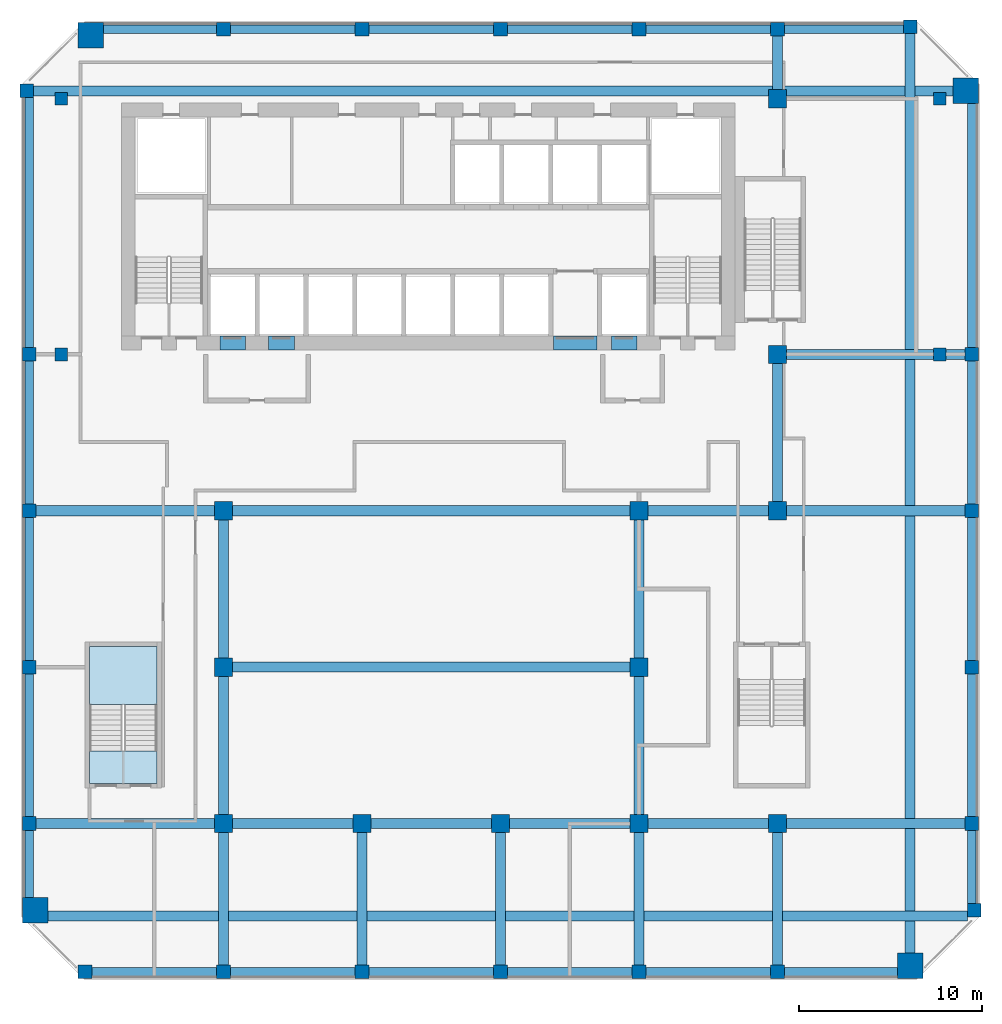
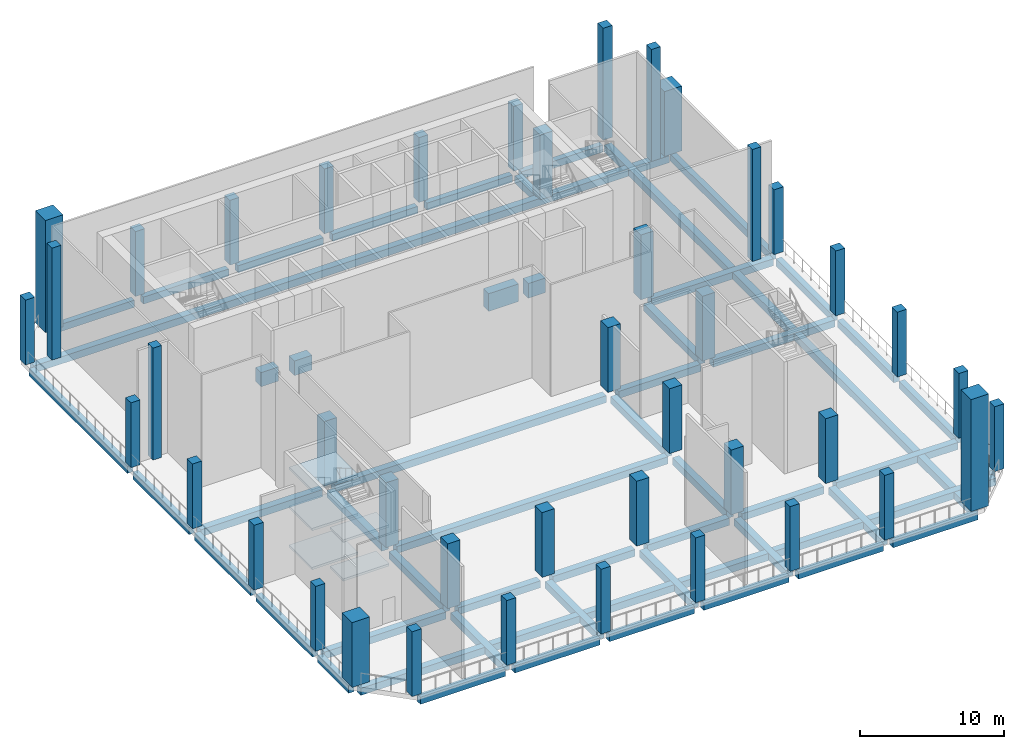
# One storey, part 1 of 12: 52 beams, 42 columns, 5 slabs, 1 element without a shape of its own.
"""IFC4 building model written with IfcOpenShell, lengths in metres."""

from ifc_helpers import new_model, si_unit, direction, frame, origin, origin_2d, place, context, subcontext, project, spatial, polyline, rectangle, outline, extrude, source, transform, mapped, material, layer, layer_set, material_profile, profile_set, type_object, element, aggregate, save


model = new_model("IFC4")

# Units and contexts
model_context = context("Model", 3, precision=1e-05, world=origin(), true_north=direction((0.0, 1.0)))
body_context = subcontext(model_context, "Body", "Model", "MODEL_VIEW")
ifc_project = project(units=[si_unit("LENGTHUNIT", "METRE"), si_unit("AREAUNIT", "SQUARE_METRE"), si_unit("VOLUMEUNIT", "CUBIC_METRE"), si_unit("PLANEANGLEUNIT", "RADIAN"), si_unit("MASSUNIT", "GRAM", prefix="KILO")], contexts=[model_context])

# Site, building, storey
site_placement = place(None, origin())
site = spatial("IfcSite", under=ifc_project, at=site_placement, CompositionType="ELEMENT")
building_placement = place(site_placement, origin())
building = spatial("IfcBuilding", under=site, at=building_placement, Name="Kilnfold Tower and Market Hall", CompositionType="ELEMENT")
storey_placement = place(building_placement, frame((0.0, 0.0, 223.699951171875)))
storey = spatial("IfcBuildingStorey", under=building, at=storey_placement, Name="L55 Refuge Wind Floor", CompositionType="ELEMENT", Elevation=223.699951171875)

# Columns
ifc_material_1 = material(Name="Concrete C70", Category="concrete")
ifc_material_profile_1 = material_profile(ifc_material_1, rectangle(XDim=0.75, YDim=0.75, at=origin_2d()), Name="RC 750x750")
ifc_profile_set_1 = profile_set([ifc_material_profile_1], Name="Concrete C70")
column_type_1 = type_object("IfcColumnType", Name="COLUMN 750X750 C70", PredefinedType="COLUMN", material=ifc_profile_set_1)
shared_shape_1 = source(origin(), body_context, "Body", "SweptSolid", [
    extrude(rectangle(XDim=0.75, YDim=0.75, at=origin_2d()), origin(), (0.0, 0.0, 1.0), 5.5),
])
for number, where, z_axis, x_axis, name in (
    (1, (-20.931884765625, 22.431884765625, 0.0), (0.0, 0.0, 1.0), (1.0, 0.0, 0.0), "Column C-B6-1H"),
    (2, (-20.800048828125, -17.6875, 0.0), (0.0, 0.0, 1.0), (1.0, 0.0, 0.0), "Column C-B6-1C"),
    (3, (-20.800048828125, -9.125, 0.0), (0.0, 0.0, 1.0), (1.0, 0.0, 0.0), "Column C-B6-1D"),
    (4, (-20.800048828125, -0.5625, 0.0), (0.0, 0.0, 1.0), (1.0, 0.0, 0.0), "Column C-B6-1E"),
    (5, (-20.800048828125, 8.0, 0.0), (0.0, 0.0, 1.0), (1.0, 0.0, 0.0), "Column C-B6-1F"),
    (6, (-17.75, -25.800048828125, 0.0), (0.0, 0.0, 1.0), (1.0, 0.0, 0.0), "Column C-B6-2A"),
    (7, (-10.166748046875, -25.800048828125, 0.0), (0.0, 0.0, 1.0), (1.0, 0.0, 0.0), "Column C-B6-3A"),
    (8, (-10.166748046875, 25.800048828125, 0.0), (0.0, 0.0, 1.0), (1.0, 0.0, 0.0), "Column C-B6-3I"),
    (9, (-2.583251953125, -25.800048828125, 0.0), (0.0, 0.0, 1.0), (1.0, 0.0, 0.0), "Column C-B6-4A"),
    (10, (-2.583251953125, 25.800048828125, 0.0), (0.0, 0.0, 1.0), (1.0, 0.0, 0.0), "Column C-B6-4I"),
    (11, (5.0, -25.800048828125, 0.0), (0.0, 0.0, 1.0), (1.0, 0.0, 0.0), "Column C-B6-5A"),
    (12, (5.0, 25.800048828125, 0.0), (0.0, 0.0, 1.0), (1.0, 0.0, 0.0), "Column C-B6-5I"),
    (13, (12.583251953125, -25.800048828125, 0.0), (0.0, 0.0, 1.0), (1.0, 0.0, 0.0), "Column C-B6-6A"),
    (14, (12.583251953125, 25.800048828125, 0.0), (0.0, 0.0, 1.0), (1.0, 0.0, 0.0), "Column C-B6-6I"),
    (15, (20.166748046875, -25.800048828125, 0.0), (0.0, 0.0, 1.0), (1.0, 0.0, 0.0), "Column C-B6-7A"),
    (16, (20.166748046875, 25.800048828125, 0.0), (0.0, 0.0, 1.0), (1.0, 0.0, 0.0), "Column C-B6-7I"),
    (17, (30.800048828125, -17.6875, 0.0), (0.0, 0.0, 1.0), (1.0, 0.0, 0.0), "Column C-B6-9C"),
    (18, (30.800048828125, -9.125, 0.0), (0.0, 0.0, 1.0), (1.0, 0.0, 0.0), "Column C-B6-9D"),
    (19, (30.800048828125, -0.5625, 0.0), (0.0, 0.0, 1.0), (1.0, 0.0, 0.0), "Column C-B6-9E"),
    (20, (30.800048828125, 8.0, 0.0), (0.0, 0.0, 1.0), (1.0, 0.0, 0.0), "Column C-B6-9F"),
    (21, (30.931884765625, -22.431884765625, 0.0), (0.0, 0.0, 1.0), (1.0, 0.0, 0.0), "Column C-B6-9B"),
):
    element("IfcColumn", number, at=place(storey_placement, frame(where, z_axis=z_axis, x_axis=x_axis)), inside=storey, type_object=column_type_1, Name=name, PredefinedType="COLUMN", context=body_context, shape_type="MappedRepresentation", body=[
        mapped(shared_shape_1, transform((0.0, 0.0, 0.0))),
    ])
ifc_material_2 = material(Name="Concrete C70", Category="concrete")
ifc_material_profile_2 = material_profile(ifc_material_2, rectangle(XDim=1.39990234375, YDim=1.39990234375, at=origin_2d()), Name="RC 1400x1400")
ifc_profile_set_2 = profile_set([ifc_material_profile_2], Name="Concrete C70")
column_type_2 = type_object("IfcColumnType", Name="COLUMN 1400X1400 C70", PredefinedType="COLUMN", material=ifc_profile_set_2)
shared_shape_2 = source(origin(), body_context, "Body", "SweptSolid", [
    extrude(rectangle(XDim=1.39990234375, YDim=1.39990234375, at=origin_2d()), origin(), (0.0, 0.0, 1.0), 5.5),
])
for number, where, z_axis, x_axis, name in (
    (22, (-20.47509765625, -22.425048828125, 0.0), (0.0, 0.0, 1.0), (1.0, 0.0, 0.0), "Column MC55-1"),
    (23, (30.47509765625, 22.425048828125, 0.0), (0.0, 0.0, 1.0), (1.0, 0.0, 0.0), "Column MC55-3"),
):
    element("IfcColumn", number, at=place(storey_placement, frame(where, z_axis=z_axis, x_axis=x_axis)), inside=storey, type_object=column_type_2, Name=name, PredefinedType="COLUMN", context=body_context, shape_type="MappedRepresentation", body=[
        mapped(shared_shape_2, transform((0.0, 0.0, 0.0))),
    ])
shared_shape_3 = source(origin(), body_context, "Body", "SweptSolid", [
    extrude(rectangle(XDim=1.39990234375, YDim=1.39990234375, at=origin_2d()), origin(), (0.0, 0.0, 1.0), 9.5),
])
for number, where, z_axis, x_axis, name in (
    (24, (-17.425048828125, 25.47509765625, 0.0), (0.0, 0.0, 1.0), (1.0, 0.0, 0.0), "Column MC55-4"),
    (25, (27.425048828125, -25.47509765625, 0.0), (0.0, 0.0, 1.0), (1.0, 0.0, 0.0), "Column MC55-2"),
):
    element("IfcColumn", number, at=place(storey_placement, frame(where, z_axis=z_axis, x_axis=x_axis)), inside=storey, type_object=column_type_2, Name=name, PredefinedType="COLUMN", context=body_context, shape_type="MappedRepresentation", body=[
        mapped(shared_shape_3, transform((0.0, 0.0, 0.0))),
    ])
ifc_material_3 = material(Name="Concrete C70", Category="concrete")
ifc_material_profile_3 = material_profile(ifc_material_3, rectangle(XDim=1.0, YDim=1.0, at=origin_2d()), Name="RC 1000x1000")
ifc_profile_set_3 = profile_set([ifc_material_profile_3], Name="Concrete C70")
column_type_3 = type_object("IfcColumnType", Name="COLUMN 1000X1000 C70", PredefinedType="COLUMN", material=ifc_profile_set_3)
shared_shape_4 = source(origin(), body_context, "Body", "SweptSolid", [
    extrude(rectangle(XDim=1.0, YDim=1.0, at=origin_2d()), origin(), (0.0, 0.0, 1.0), 5.5),
])
for number, where, z_axis, x_axis, name in (
    (26, (-10.166748046875, -17.6875, 0.0), (0.0, 0.0, 1.0), (1.0, 0.0, 0.0), "Column C-B6-3C"),
    (27, (-10.166748046875, -9.125, 0.0), (0.0, 0.0, 1.0), (1.0, 0.0, 0.0), "Column C-B6-3D"),
    (28, (-10.166748046875, -0.5625, 0.0), (0.0, 0.0, 1.0), (1.0, 0.0, 0.0), "Column C-B6-3E"),
    (29, (-2.583251953125, -17.6875, 0.0), (0.0, 0.0, 1.0), (1.0, 0.0, 0.0), "Column C-B6-4C"),
    (30, (5.0, -17.6875, 0.0), (0.0, 0.0, 1.0), (1.0, 0.0, 0.0), "Column C-B6-5C"),
    (31, (12.583251953125, -17.6875, 0.0), (0.0, 0.0, 1.0), (1.0, 0.0, 0.0), "Column C-B6-6C"),
    (32, (12.583251953125, -9.125, 0.0), (0.0, 0.0, 1.0), (1.0, 0.0, 0.0), "Column C-B6-6D"),
    (33, (12.583251953125, -0.5625, 0.0), (0.0, 0.0, 1.0), (1.0, 0.0, 0.0), "Column C-B6-6E"),
    (34, (20.166748046875, -17.6875, 0.0), (0.0, 0.0, 1.0), (1.0, 0.0, 0.0), "Column C-B6-7C"),
    (35, (20.166748046875, -0.5625, 0.0), (0.0, 0.0, 1.0), (1.0, 0.0, 0.0), "Column C-B6-7E"),
    (36, (20.166748046875, 8.0, 0.0), (0.0, 0.0, 1.0), (1.0, 0.0, 0.0), "Column C-B6-7F"),
    (37, (20.166748046875, 22.0, 0.0), (0.0, 0.0, 1.0), (1.0, 0.0, 0.0), "Column C-B6-7G"),
):
    element("IfcColumn", number, at=place(storey_placement, frame(where, z_axis=z_axis, x_axis=x_axis)), inside=storey, type_object=column_type_3, Name=name, PredefinedType="COLUMN", context=body_context, shape_type="MappedRepresentation", body=[
        mapped(shared_shape_4, transform((0.0, 0.0, 0.0))),
    ])
shared_shape_5 = source(origin(), body_context, "Body", "SweptSolid", [
    extrude(rectangle(XDim=0.75, YDim=0.75, at=origin_2d()), origin(), (0.0, 0.0, 1.0), 9.5),
])
column_placement = place(storey_placement, frame((27.431884765625, 25.931884765625, 0.0), z_axis=(0.0, 0.0, 1.0), x_axis=(1.0, 0.0, 0.0)))
element("IfcColumn", 38, at=column_placement, inside=storey, type_object=column_type_1, Name="Column C-B6-8I", PredefinedType="COLUMN", context=body_context, shape_type="MappedRepresentation", body=[
    mapped(shared_shape_5, transform((0.0, 0.0, 0.0))),
])
ifc_material_4 = material(Name="Concrete C60", Category="concrete")
ifc_material_profile_4 = material_profile(ifc_material_4, rectangle(XDim=0.699951171875, YDim=0.699951171875, at=origin_2d()), Name="RC 700x700")
ifc_profile_set_4 = profile_set([ifc_material_profile_4], Name="Concrete C60")
column_type_4 = type_object("IfcColumnType", Name="COLUMN 700X700 C60", PredefinedType="COLUMN", material=ifc_profile_set_4)
shared_shape_6 = source(origin(), body_context, "Body", "SweptSolid", [
    extrude(rectangle(XDim=0.699951171875, YDim=0.699951171875, at=origin_2d()), origin(), (0.0, 0.0, 1.0), 9.5),
])
for number, where, z_axis, x_axis, name in (
    (39, (-19.050048828125, 8.0, 0.0), (0.0, 0.0, 1.0), (1.0, 0.0, 0.0), "Column C-B7-1E"),
    (40, (-19.050048828125, 22.0, 0.0), (0.0, 0.0, 1.0), (1.0, 0.0, 0.0), "Column C-B7-1F"),
    (41, (29.050048828125, 8.0, 0.0), (0.0, 0.0, 1.0), (1.0, 0.0, 0.0), "Column C-B7-9E"),
    (42, (29.050048828125, 22.0, 0.0), (0.0, 0.0, 1.0), (1.0, 0.0, 0.0), "Column C-B7-9F"),
):
    element("IfcColumn", number, at=place(storey_placement, frame(where, z_axis=z_axis, x_axis=x_axis)), inside=storey, type_object=column_type_4, Name=name, PredefinedType="COLUMN", context=body_context, shape_type="MappedRepresentation", body=[
        mapped(shared_shape_6, transform((0.0, 0.0, 0.0))),
    ])

# Beams
ifc_material_5 = material(Name="Concrete C45", Category="concrete")
ifc_material_profile_5 = material_profile(ifc_material_5, rectangle(XDim=0.550048828125, YDim=0.60009765625, at=origin_2d()), Name="RC 550x600")
ifc_profile_set_5 = profile_set([ifc_material_profile_5], Name="Concrete C45")
beam_type_1 = type_object("IfcBeamType", Name="BEAM 550X600 C45", PredefinedType="BEAM", material=ifc_profile_set_5)
shared_shape_7 = source(origin(), body_context, "Body", "SweptSolid", [
    extrude(rectangle(XDim=0.550048828125, YDim=0.60009765625, at=origin_2d()), origin(), (0.0, 0.0, 1.0), 21.75),
])
for number, where, z_axis, x_axis, name in (
    (43, (-9.666748046875, -9.1201171875, -0.699951171875), (1.0, 0.0, 0.0), (0.0, 1.0, 0.0), "Beam BB600-B6.48"),
    (44, (-9.666748046875, -0.56005859375, -0.699951171875), (1.0, 0.0, 0.0), (0.0, 1.0, 0.0), "Beam BB600-B6.50"),
):
    element("IfcBeam", number, at=place(storey_placement, frame(where, z_axis=z_axis, x_axis=x_axis)), inside=storey, type_object=beam_type_1, Name=name, PredefinedType="BEAM", context=body_context, shape_type="MappedRepresentation", body=[
        mapped(shared_shape_7, transform((0.0, 0.0, 0.0))),
    ])
ifc_material_6 = material(Name="Concrete C45", Category="concrete")
ifc_material_profile_6 = material_profile(ifc_material_6, rectangle(XDim=0.449951171875, YDim=0.60009765625, at=origin_2d()), Name="RC 450x600")
ifc_profile_set_6 = profile_set([ifc_material_profile_6], Name="Concrete C45")
beam_type_2 = type_object("IfcBeamType", Name="EDGE BEAM 450X600 C45", PredefinedType="BEAM", material=ifc_profile_set_6)
shared_shape_8 = source(origin(), body_context, "Body", "SweptSolid", [
    extrude(rectangle(XDim=0.449951171875, YDim=0.60009765625, at=origin_2d()), origin(), (0.0, 0.0, 1.0), 13.681884765625),
])
beam_1_placement = place(storey_placement, frame((-20.800048828125, 8.375, -0.699951171875), z_axis=(0.0, 1.0, 0.0), x_axis=(-1.0, 0.0, 0.0)))
element("IfcBeam", 45, at=beam_1_placement, inside=storey, type_object=beam_type_2, Name="Beam EB600-B6.33", PredefinedType="BEAM", context=body_context, shape_type="MappedRepresentation", body=[
    mapped(shared_shape_8, transform((0.0, 0.0, 0.0))),
])
shared_shape_9 = source(origin(), body_context, "Body", "SweptSolid", [
    extrude(rectangle(XDim=0.449951171875, YDim=0.60009765625, at=origin_2d()), origin(), (0.0, 0.0, 1.0), 6.833251953125),
])
for number, where, z_axis, x_axis, name in (
    (46, (-17.375, -25.800048828125, -0.699951171875), (1.0, 0.0, 0.0), (0.0, 1.0, 0.0), "Beam EB600-B6.39"),
    (47, (-2.208251953125, -25.800048828125, -0.699951171875), (1.0, 0.0, 0.0), (0.0, 1.0, 0.0), "Beam EB600-B6.41"),
    (48, (5.375, -25.800048828125, -0.699951171875), (1.0, 0.0, 0.0), (0.0, 1.0, 0.0), "Beam EB600-B6.42"),
    (49, (20.541748046875, -25.800048828125, -0.699951171875), (1.0, 0.0, 0.0), (0.0, 1.0, 0.0), "Beam EB600-B6.44"),
    (50, (-17.375, 25.800048828125, -0.699951171875), (1.0, 0.0, 0.0), (0.0, 1.0, 0.0), "Beam EB600-B6.54"),
    (51, (-2.208251953125, 25.800048828125, -0.699951171875), (1.0, 0.0, 0.0), (0.0, 1.0, 0.0), "Beam EB600-B6.56"),
    (52, (5.375, 25.800048828125, -0.699951171875), (1.0, 0.0, 0.0), (0.0, 1.0, 0.0), "Beam EB600-B6.57"),
):
    element("IfcBeam", number, at=place(storey_placement, frame(where, z_axis=z_axis, x_axis=x_axis)), inside=storey, type_object=beam_type_2, Name=name, PredefinedType="BEAM", context=body_context, shape_type="MappedRepresentation", body=[
        mapped(shared_shape_9, transform((0.0, 0.0, 0.0))),
    ])
shared_shape_10 = source(origin(), body_context, "Body", "SweptSolid", [
    extrude(rectangle(XDim=0.449951171875, YDim=0.60009765625, at=origin_2d()), origin(), (0.0, 0.0, 1.0), 6.83349609375),
])
for number, where, z_axis, x_axis, name in (
    (53, (-9.791748046875, -25.800048828125, -0.699951171875), (1.0, 0.0, 0.0), (0.0, 1.0, 0.0), "Beam EB600-B6.40"),
    (54, (12.958251953125, -25.800048828125, -0.699951171875), (1.0, 0.0, 0.0), (0.0, 1.0, 0.0), "Beam EB600-B6.43"),
    (55, (-9.791748046875, 25.800048828125, -0.699951171875), (1.0, 0.0, 0.0), (0.0, 1.0, 0.0), "Beam EB600-B6.55"),
    (56, (12.958251953125, 25.800048828125, -0.699951171875), (1.0, 0.0, 0.0), (0.0, 1.0, 0.0), "Beam EB600-B6.58"),
):
    element("IfcBeam", number, at=place(storey_placement, frame(where, z_axis=z_axis, x_axis=x_axis)), inside=storey, type_object=beam_type_2, Name=name, PredefinedType="BEAM", context=body_context, shape_type="MappedRepresentation", body=[
        mapped(shared_shape_10, transform((0.0, 0.0, 0.0))),
    ])
shared_shape_11 = source(origin(), body_context, "Body", "SweptSolid", [
    extrude(rectangle(XDim=0.550048828125, YDim=0.60009765625, at=origin_2d()), origin(), (0.0, 0.0, 1.0), 50.98193359375),
])
for number, where, z_axis, x_axis, name in (
    (57, (-20.425048828125, -22.75, -0.699951171875), (1.0, 0.0, 0.0), (0.0, 1.0, 0.0), "Beam BB600-B6.45"),
    (58, (-20.556884765625, 22.429931640625, -0.699951171875), (1.0, 0.0, 0.0), (0.0, 1.0, 0.0), "Beam BB600-B6.53"),
    (59, (27.429931640625, -25.425048828125, -0.699951171875), (0.0, 1.0, 0.0), (-1.0, 0.0, 0.0), "Beam BB600-B6.69"),
):
    element("IfcBeam", number, at=place(storey_placement, frame(where, z_axis=z_axis, x_axis=x_axis)), inside=storey, type_object=beam_type_1, Name=name, PredefinedType="BEAM", context=body_context, shape_type="MappedRepresentation", body=[
        mapped(shared_shape_11, transform((0.0, 0.0, 0.0))),
    ])
shared_shape_12 = source(origin(), body_context, "Body", "SweptSolid", [
    extrude(rectangle(XDim=0.550048828125, YDim=0.60009765625, at=origin_2d()), origin(), (0.0, 0.0, 1.0), 9.75830078125),
])
for number, where, z_axis, x_axis, name in (
    (60, (-20.425048828125, -17.68994140625, -0.699951171875), (1.0, 0.0, 0.0), (0.0, 1.0, 0.0), "Beam BB600-B6.46"),
    (61, (20.666748046875, -17.68994140625, -0.699951171875), (1.0, 0.0, 0.0), (0.0, 1.0, 0.0), "Beam BB600-B6.47"),
    (62, (-20.425048828125, -0.56005859375, -0.699951171875), (1.0, 0.0, 0.0), (0.0, 1.0, 0.0), "Beam BB600-B6.49"),
    (63, (20.666748046875, -0.56005859375, -0.699951171875), (1.0, 0.0, 0.0), (0.0, 1.0, 0.0), "Beam BB600-B6.51"),
    (64, (20.666748046875, 8.0, -0.699951171875), (1.0, 0.0, 0.0), (0.0, 1.0, 0.0), "Beam BB600-B6.52"),
):
    element("IfcBeam", number, at=place(storey_placement, frame(where, z_axis=z_axis, x_axis=x_axis)), inside=storey, type_object=beam_type_1, Name=name, PredefinedType="BEAM", context=body_context, shape_type="MappedRepresentation", body=[
        mapped(shared_shape_12, transform((0.0, 0.0, 0.0))),
    ])
shared_shape_13 = source(origin(), body_context, "Body", "SweptSolid", [
    extrude(rectangle(XDim=0.449951171875, YDim=0.60009765625, at=origin_2d()), origin(), (0.0, 0.0, 1.0), 6.51513671875),
])
beam_2_placement = place(storey_placement, frame((20.541748046875, 25.800048828125, -0.699951171875), z_axis=(1.0, 0.0, 0.0), x_axis=(0.0, 1.0, 0.0)))
element("IfcBeam", 65, at=beam_2_placement, inside=storey, type_object=beam_type_2, Name="Beam EB600-B6.59", PredefinedType="BEAM", context=body_context, shape_type="MappedRepresentation", body=[
    mapped(shared_shape_13, transform((0.0, 0.0, 0.0))),
])
shared_shape_14 = source(origin(), body_context, "Body", "SweptSolid", [
    extrude(rectangle(XDim=0.449951171875, YDim=0.60009765625, at=origin_2d()), origin(), (0.0, 0.0, 1.0), 4.3125),
])
beam_3_placement = place(storey_placement, frame((-20.800048828125, -22.375, -0.699951171875), z_axis=(0.0, 1.0, 0.0), x_axis=(-1.0, 0.0, 0.0)))
element("IfcBeam", 66, at=beam_3_placement, inside=storey, type_object=beam_type_2, Name="Beam EB600-B6.60", PredefinedType="BEAM", context=body_context, shape_type="MappedRepresentation", body=[
    mapped(shared_shape_14, transform((0.0, 0.0, 0.0))),
])
shared_shape_15 = source(origin(), body_context, "Body", "SweptSolid", [
    extrude(rectangle(XDim=0.449951171875, YDim=0.60009765625, at=origin_2d()), origin(), (0.0, 0.0, 1.0), 7.8125),
])
for number, where, z_axis, x_axis, name in (
    (67, (-20.800048828125, -17.3125, -0.699951171875), (0.0, 1.0, 0.0), (-1.0, 0.0, 0.0), "Beam EB600-B6.61"),
    (68, (-20.800048828125, -8.75, -0.699951171875), (0.0, 1.0, 0.0), (-1.0, 0.0, 0.0), "Beam EB600-B6.62"),
    (69, (-20.800048828125, -0.1875, -0.699951171875), (0.0, 1.0, 0.0), (-1.0, 0.0, 0.0), "Beam EB600-B6.63"),
    (70, (30.800048828125, -17.3125, -0.699951171875), (0.0, 1.0, 0.0), (-1.0, 0.0, 0.0), "Beam EB600-B6.71"),
    (71, (30.800048828125, -8.75, -0.699951171875), (0.0, 1.0, 0.0), (-1.0, 0.0, 0.0), "Beam EB600-B6.72"),
    (72, (30.800048828125, -0.1875, -0.699951171875), (0.0, 1.0, 0.0), (-1.0, 0.0, 0.0), "Beam EB600-B6.73"),
):
    element("IfcBeam", number, at=place(storey_placement, frame(where, z_axis=z_axis, x_axis=x_axis)), inside=storey, type_object=beam_type_2, Name=name, PredefinedType="BEAM", context=body_context, shape_type="MappedRepresentation", body=[
        mapped(shared_shape_15, transform((0.0, 0.0, 0.0))),
    ])
shared_shape_16 = source(origin(), body_context, "Body", "SweptSolid", [
    extrude(rectangle(XDim=0.550048828125, YDim=0.60009765625, at=origin_2d()), origin(), (0.0, 0.0, 1.0), 7.5625),
])
for number, where, z_axis, x_axis, name in (
    (73, (-10.169921875, -17.1875, -0.699951171875), (0.0, 1.0, 0.0), (-1.0, 0.0, 0.0), "Beam BB600-B6.64"),
    (74, (-10.169921875, -8.625, -0.699951171875), (0.0, 1.0, 0.0), (-1.0, 0.0, 0.0), "Beam BB600-B6.65"),
    (75, (12.580078125, -17.1875, -0.699951171875), (0.0, 1.0, 0.0), (-1.0, 0.0, 0.0), "Beam BB600-B6.66"),
    (76, (12.580078125, -8.625, -0.699951171875), (0.0, 1.0, 0.0), (-1.0, 0.0, 0.0), "Beam BB600-B6.67"),
    (77, (20.169921875, -0.0625, -0.699951171875), (0.0, 1.0, 0.0), (-1.0, 0.0, 0.0), "Beam BB600-B6.68"),
):
    element("IfcBeam", number, at=place(storey_placement, frame(where, z_axis=z_axis, x_axis=x_axis)), inside=storey, type_object=beam_type_1, Name=name, PredefinedType="BEAM", context=body_context, shape_type="MappedRepresentation", body=[
        mapped(shared_shape_16, transform((0.0, 0.0, 0.0))),
    ])
shared_shape_17 = source(origin(), body_context, "Body", "SweptSolid", [
    extrude(rectangle(XDim=0.449951171875, YDim=0.60009765625, at=origin_2d()), origin(), (0.0, 0.0, 1.0), 3.994384765625),
])
beam_4_placement = place(storey_placement, frame((30.800048828125, -22.056884765625, -0.699951171875), z_axis=(0.0, 1.0, 0.0), x_axis=(-1.0, 0.0, 0.0)))
element("IfcBeam", 78, at=beam_4_placement, inside=storey, type_object=beam_type_2, Name="Beam EB600-B6.70", PredefinedType="BEAM", context=body_context, shape_type="MappedRepresentation", body=[
    mapped(shared_shape_17, transform((0.0, 0.0, 0.0))),
])
shared_shape_18 = source(origin(), body_context, "Body", "SweptSolid", [
    extrude(rectangle(XDim=0.449951171875, YDim=0.60009765625, at=origin_2d()), origin(), (0.0, 0.0, 1.0), 14.0),
])
beam_5_placement = place(storey_placement, frame((30.800048828125, 8.375, -0.699951171875), z_axis=(0.0, 1.0, 0.0), x_axis=(-1.0, 0.0, 0.0)))
element("IfcBeam", 79, at=beam_5_placement, inside=storey, type_object=beam_type_2, Name="Beam EB600-B6.74", PredefinedType="BEAM", context=body_context, shape_type="MappedRepresentation", body=[
    mapped(shared_shape_18, transform((0.0, 0.0, 0.0))),
])
ifc_material_7 = material(Name="Concrete C60", Category="concrete")
ifc_material_profile_7 = material_profile(ifc_material_7, rectangle(XDim=0.75, YDim=1.199951171875, at=origin_2d()), Name="RC 750x1200")
ifc_profile_set_7 = profile_set([ifc_material_profile_7], Name="Concrete C60")
beam_type_3 = type_object("IfcBeamType", Name="COUPLING BEAM 750X1200 C60", PredefinedType="BEAM", material=ifc_profile_set_7)
shared_shape_19 = source(origin(), body_context, "Body", "SweptSolid", [
    extrude(rectangle(XDim=0.75, YDim=1.199951171875, at=origin_2d()), origin(), (0.0, 0.0, 1.0), 1.400146484375),
])
beam_6_placement = place(storey_placement, frame((-10.3701171875, 8.625, 3.300048828125), z_axis=(1.0, 0.0, 0.0), x_axis=(0.0, 1.0, 0.0)))
element("IfcBeam", 80, at=beam_6_placement, inside=storey, type_object=beam_type_3, Name="Coupling beam CB1200-60-CORE.31", PredefinedType="BEAM", context=body_context, shape_type="MappedRepresentation", body=[
    mapped(shared_shape_19, transform((0.0, 0.0, 0.0))),
])
ifc_material_8 = material(Name="Concrete C60", Category="concrete")
ifc_material_profile_8 = material_profile(ifc_material_8, rectangle(XDim=0.75, YDim=1.25, at=origin_2d()), Name="RC 750x1250")
ifc_profile_set_8 = profile_set([ifc_material_profile_8], Name="Concrete C60")
beam_type_4 = type_object("IfcBeamType", Name="COUPLING BEAM 750X1250 C60", PredefinedType="BEAM", material=ifc_profile_set_8)
shared_shape_20 = source(origin(), body_context, "Body", "SweptSolid", [
    extrude(rectangle(XDim=0.75, YDim=1.25, at=origin_2d()), origin(), (0.0, 0.0, 1.0), 1.39990234375),
])
for number, where, z_axis, x_axis, name in (
    (81, (-7.68994140625, 8.625, 3.324951171875), (1.0, 0.0, 0.0), (0.0, 1.0, 0.0), "Coupling beam CB1250-60-CORE.33"),
    (82, (11.070068359375, 8.625, 3.324951171875), (1.0, 0.0, 0.0), (0.0, 1.0, 0.0), "Coupling beam CB1250-60-CORE.37"),
):
    element("IfcBeam", number, at=place(storey_placement, frame(where, z_axis=z_axis, x_axis=x_axis)), inside=storey, type_object=beam_type_4, Name=name, PredefinedType="BEAM", context=body_context, shape_type="MappedRepresentation", body=[
        mapped(shared_shape_20, transform((0.0, 0.0, 0.0))),
    ])
ifc_material_9 = material(Name="Concrete C60", Category="concrete")
ifc_material_profile_9 = material_profile(ifc_material_9, rectangle(XDim=0.75, YDim=1.5, at=origin_2d()), Name="RC 750x1500")
ifc_profile_set_9 = profile_set([ifc_material_profile_9], Name="Concrete C60")
beam_type_5 = type_object("IfcBeamType", Name="COUPLING BEAM 750X1500 C60", PredefinedType="BEAM", material=ifc_profile_set_9)
shared_shape_21 = source(origin(), body_context, "Body", "SweptSolid", [
    extrude(rectangle(XDim=0.75, YDim=1.5, at=origin_2d()), origin(), (0.0, 0.0, 1.0), 2.400146484375),
])
beam_7_placement = place(storey_placement, frame((7.889892578125, 8.625, 3.449951171875), z_axis=(1.0, 0.0, 0.0), x_axis=(0.0, 1.0, 0.0)))
element("IfcBeam", 83, at=beam_7_placement, inside=storey, type_object=beam_type_5, Name="Coupling beam CB1500-60-CORE.35", PredefinedType="BEAM", context=body_context, shape_type="MappedRepresentation", body=[
    mapped(shared_shape_21, transform((0.0, 0.0, 0.0))),
])
shared_shape_22 = source(origin(), body_context, "Body", "SweptSolid", [
    extrude(rectangle(XDim=0.550048828125, YDim=0.60009765625, at=origin_2d()), origin(), (0.0, 0.0, 1.0), 6.58349609375),
])
for number, where, z_axis, x_axis, name in (
    (84, (-9.666748046875, -17.68994140625, -0.699951171875), (1.0, 0.0, 0.0), (0.0, 1.0, 0.0), "Beam BB600-B6.75"),
    (85, (13.083251953125, -17.68994140625, -0.699951171875), (1.0, 0.0, 0.0), (0.0, 1.0, 0.0), "Beam BB600-B6.78"),
    (86, (13.083251953125, -0.56005859375, -0.699951171875), (1.0, 0.0, 0.0), (0.0, 1.0, 0.0), "Beam BB600-B6.79"),
):
    element("IfcBeam", number, at=place(storey_placement, frame(where, z_axis=z_axis, x_axis=x_axis)), inside=storey, type_object=beam_type_1, Name=name, PredefinedType="BEAM", context=body_context, shape_type="MappedRepresentation", body=[
        mapped(shared_shape_22, transform((0.0, 0.0, 0.0))),
    ])
shared_shape_23 = source(origin(), body_context, "Body", "SweptSolid", [
    extrude(rectangle(XDim=0.550048828125, YDim=0.60009765625, at=origin_2d()), origin(), (0.0, 0.0, 1.0), 6.583251953125),
])
for number, where, z_axis, x_axis, name in (
    (87, (-2.083251953125, -17.68994140625, -0.699951171875), (1.0, 0.0, 0.0), (0.0, 1.0, 0.0), "Beam BB600-B6.76"),
    (88, (5.5, -17.68994140625, -0.699951171875), (1.0, 0.0, 0.0), (0.0, 1.0, 0.0), "Beam BB600-B6.77"),
):
    element("IfcBeam", number, at=place(storey_placement, frame(where, z_axis=z_axis, x_axis=x_axis)), inside=storey, type_object=beam_type_1, Name=name, PredefinedType="BEAM", context=body_context, shape_type="MappedRepresentation", body=[
        mapped(shared_shape_23, transform((0.0, 0.0, 0.0))),
    ])
shared_shape_24 = source(origin(), body_context, "Body", "SweptSolid", [
    extrude(rectangle(XDim=0.550048828125, YDim=0.60009765625, at=origin_2d()), origin(), (0.0, 0.0, 1.0), 7.237548828125),
])
for number, where, z_axis, x_axis, name in (
    (89, (-10.169921875, -25.425048828125, -0.699951171875), (0.0, 1.0, 0.0), (-1.0, 0.0, 0.0), "Beam BB600-B6.80"),
    (90, (-2.580078125, -25.425048828125, -0.699951171875), (0.0, 1.0, 0.0), (-1.0, 0.0, 0.0), "Beam BB600-B6.81"),
    (91, (5.0, -25.425048828125, -0.699951171875), (0.0, 1.0, 0.0), (-1.0, 0.0, 0.0), "Beam BB600-B6.82"),
    (92, (12.580078125, -25.425048828125, -0.699951171875), (0.0, 1.0, 0.0), (-1.0, 0.0, 0.0), "Beam BB600-B6.83"),
    (93, (20.169921875, -25.425048828125, -0.699951171875), (0.0, 1.0, 0.0), (-1.0, 0.0, 0.0), "Beam BB600-B6.84"),
):
    element("IfcBeam", number, at=place(storey_placement, frame(where, z_axis=z_axis, x_axis=x_axis)), inside=storey, type_object=beam_type_1, Name=name, PredefinedType="BEAM", context=body_context, shape_type="MappedRepresentation", body=[
        mapped(shared_shape_24, transform((0.0, 0.0, 0.0))),
    ])
shared_shape_25 = source(origin(), body_context, "Body", "SweptSolid", [
    extrude(rectangle(XDim=0.550048828125, YDim=0.60009765625, at=origin_2d()), origin(), (0.0, 0.0, 1.0), 2.925048828125),
])
beam_8_placement = place(storey_placement, frame((20.169921875, 22.5, -0.699951171875), z_axis=(0.0, 1.0, 0.0), x_axis=(-1.0, 0.0, 0.0)))
element("IfcBeam", 94, at=beam_8_placement, inside=storey, type_object=beam_type_1, Name="Beam BB600-B6.85", PredefinedType="BEAM", context=body_context, shape_type="MappedRepresentation", body=[
    mapped(shared_shape_25, transform((0.0, 0.0, 0.0))),
])

# Stair, slabs
ifc_material_10 = material(Name="Concrete C40/50", Category="concrete")
stair_type = type_object("IfcStairType", Name="CORE STAIR 1800", PredefinedType="HALF_TURN_STAIR", material=ifc_material_10)
stair_placement = place(storey_placement, origin())
stair = element("IfcStair", 95, at=stair_placement, inside=storey, type_object=stair_type, Name="L55 Refuge Wind Floor ST3", PredefinedType="HALF_TURN_STAIR")
ifc_material_11 = material(Name="Concrete C40/50", Category="concrete")
ifc_layer = layer(ifc_material_11, 0.199951171875)
ifc_layer_set = layer_set([ifc_layer], Name="Concrete C40/50")
slab_type = type_object("IfcSlabType", Name="CORE STAIR LANDING 200", PredefinedType="LANDING", material=ifc_layer_set)
shared_shape_26 = source(origin(), body_context, "Body", "SweptSolid", [
    extrude(outline(polyline([(-13.800048828125, -15.5), (-13.800048828125, -13.699951171875), (-17.5, -13.699951171875), (-17.5, -15.5), (-13.800048828125, -15.5)])), origin(), (0.0, 0.0, 1.0), 0.199951171875),
])
slab_1_placement = place(storey_placement, frame((0.0, 0.0, 3.10009765625)))
slab_1 = element("IfcSlab", 96, at=slab_1_placement, type_object=slab_type, Name="ST3 landing 2", PredefinedType="LANDING", context=body_context, shape_type="MappedRepresentation", body=[
    mapped(shared_shape_26, transform((0.0, 0.0, 0.0))),
])
slab_2_placement = place(storey_placement, frame((0.0, 0.0, 6.400146484375)))
slab_2 = element("IfcSlab", 97, at=slab_2_placement, type_object=slab_type, Name="ST3 landing 4", PredefinedType="LANDING", context=body_context, shape_type="MappedRepresentation", body=[
    mapped(shared_shape_26, transform((0.0, 0.0, 0.0))),
])
shared_shape_27 = source(origin(), body_context, "Body", "SweptSolid", [
    extrude(outline(polyline([(-13.800048828125, -11.179931640625), (-13.800048828125, -8.0), (-17.5, -8.0), (-17.5, -11.179931640625), (-13.800048828125, -11.179931640625)])), origin(), (0.0, 0.0, 1.0), 0.199951171875),
])
slab_3_placement = place(storey_placement, frame((0.0, 0.0, 4.75)))
slab_3 = element("IfcSlab", 98, at=slab_3_placement, type_object=slab_type, Name="ST3 landing 3", PredefinedType="LANDING", context=body_context, shape_type="MappedRepresentation", body=[
    mapped(shared_shape_27, transform((0.0, 0.0, 0.0))),
])
slab_4_placement = place(storey_placement, frame((0.0, 0.0, 8.050048828125)))
slab_4 = element("IfcSlab", 99, at=slab_4_placement, type_object=slab_type, Name="ST3 landing 5", PredefinedType="LANDING", context=body_context, shape_type="MappedRepresentation", body=[
    mapped(shared_shape_27, transform((0.0, 0.0, 0.0))),
])
shared_shape_28 = source(origin(), body_context, "Body", "SweptSolid", [
    extrude(outline(polyline([(-13.800048828125, -11.179931640625), (-13.800048828125, -8.0), (-17.5, -8.0), (-17.5, -11.179931640625), (-13.800048828125, -11.179931640625)])), origin(), (0.0, 0.0, 1.0), 0.2001953125),
])
slab_5_placement = place(storey_placement, frame((0.0, 0.0, 1.449951171875)))
slab_5 = element("IfcSlab", 100, at=slab_5_placement, type_object=slab_type, Name="ST3 landing 1", PredefinedType="LANDING", context=body_context, shape_type="MappedRepresentation", body=[
    mapped(shared_shape_28, transform((0.0, 0.0, 0.0))),
])
aggregate(stair, [slab_5, slab_1, slab_3, slab_2, slab_4])

save(model, "model.ifc")
